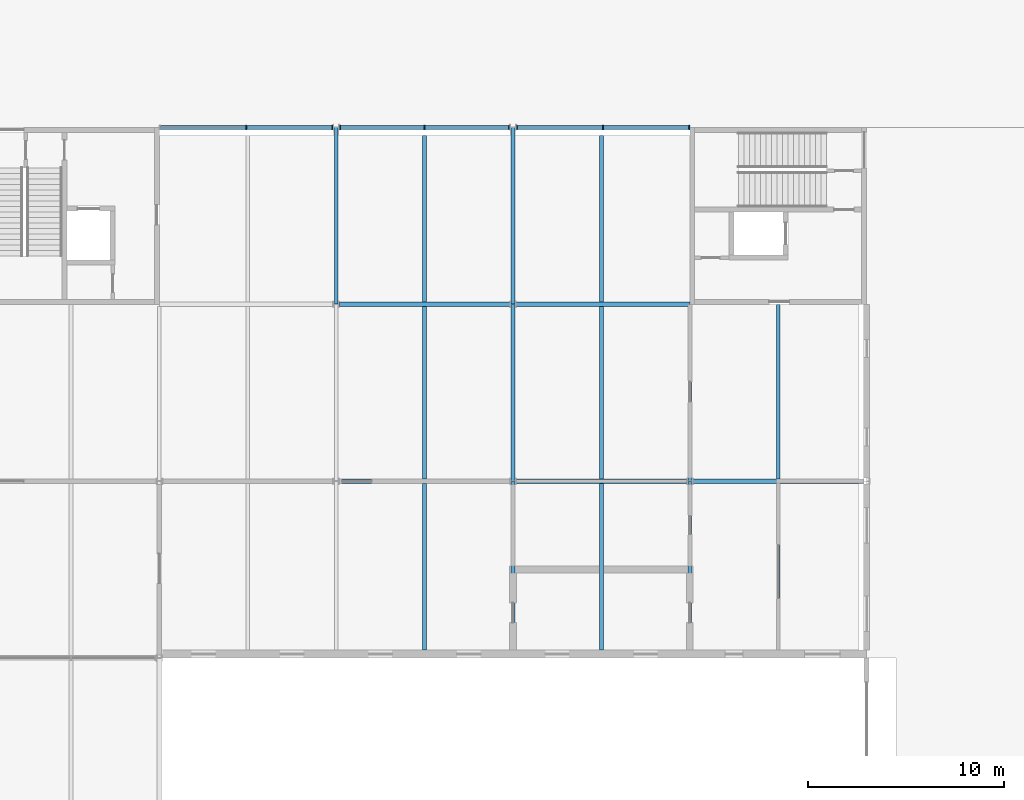
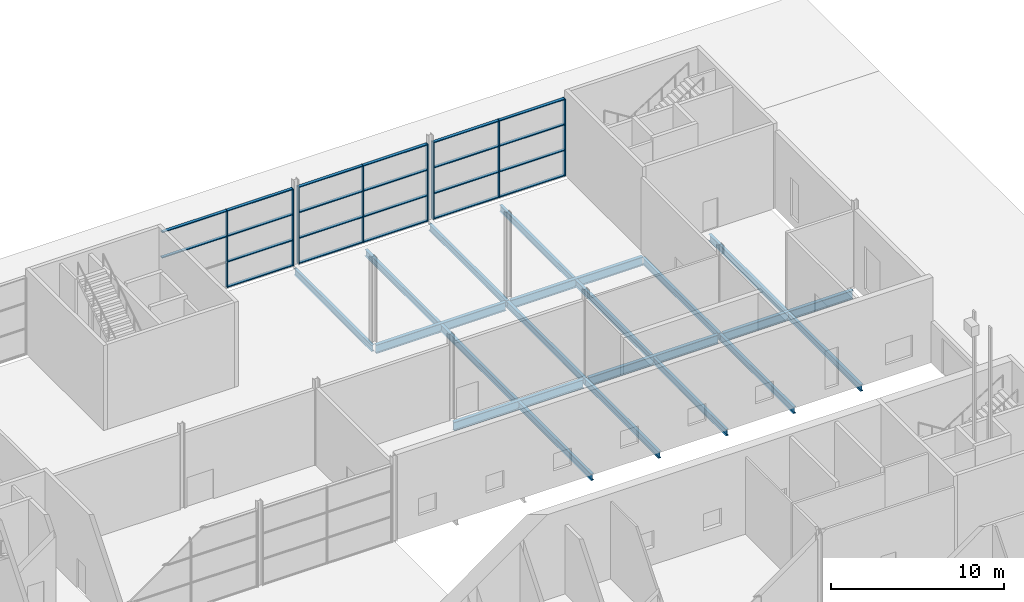
# One storey, part 52 of 97: 30 members, 19 beams, 3 elements without a shape of their own.
"""IFC4 building model written with IfcOpenShell, lengths in metres."""

import ifcopenshell
import ifcopenshell.guid

model = None  # the IFC model being written
_history = None  # IfcOwnerHistory: only IFC2X3 demands one
_inside = {}  # id of a spatial element -> (the spatial element, [elements in it])
_under = {}  # id of a project, library or spatial element -> (it, [spatial elements below it])
_declared = {}  # id of a project -> (the project, [libraries it declares])
_typed = {}  # id of a type object -> (the type object, [elements of that type])
_made_of = {}  # id of a material, layer set ... -> (it, [elements and type objects made of it])


def new_model(schema):
    """Start an empty IFC model of exactly this schema.

    Asked for "IFC4X3", IfcOpenShell would pick the latest addendum, in which some entities
    have other attributes; the version numbers below select the first issue.
    IFC2X3 requires an IfcOwnerHistory on every rooted entity: one is made here for all.
    """
    global model, _history
    if schema == "IFC4X3":
        model = ifcopenshell.file(schema_version=(4, 3, 0, 0))
    else:
        model = ifcopenshell.file(schema=schema)
    _inside.clear()
    _under.clear()
    _declared.clear()
    _typed.clear()
    _made_of.clear()
    _history = None
    if model.schema == "IFC2X3":
        org = make("IfcOrganization", Name="unknown")
        user = make(
            "IfcPersonAndOrganization",
            ThePerson=make("IfcPerson", FamilyName="unknown"),
            TheOrganization=org,
        )
        app = make(
            "IfcApplication",
            ApplicationDeveloper=org,
            Version="unknown",
            ApplicationFullName="unknown",
            ApplicationIdentifier="unknown",
        )
        _history = make(
            "IfcOwnerHistory",
            OwningUser=user,
            OwningApplication=app,
            ChangeAction="ADDED",
            CreationDate=0,
        )
    return model


def make(cls, **values):
    """One entity of the class cls with the attributes given. An attribute that is None is left unset."""
    return model.create_entity(
        cls, **{name: value for name, value in values.items() if value is not None}
    )


def rooted(cls, **values):
    """An entity with a GlobalId (a new one), such as an element, a storey or a relation."""
    return make(cls, GlobalId=ifcopenshell.guid.new(), OwnerHistory=_history, **values)


def si_unit(unit_type, name, prefix=None):
    """IfcSIUnit, for example si_unit("LENGTHUNIT", "METRE", prefix="MILLI")."""
    return make("IfcSIUnit", UnitType=unit_type, Prefix=prefix, Name=name)


def assignment(units):
    """IfcUnitAssignment: the units of a project."""
    return None if units is None else make("IfcUnitAssignment", Units=units)


def point(xyz):
    """IfcCartesianPoint."""
    return None if xyz is None else make("IfcCartesianPoint", Coordinates=xyz)


def direction(xyz):
    """IfcDirection."""
    return None if xyz is None else make("IfcDirection", DirectionRatios=xyz)


def frame(location, z_axis=None, x_axis=None):
    """IfcAxis2Placement3D, a coordinate frame: its origin and axes. An axis left out is left unset."""
    return make(
        "IfcAxis2Placement3D",
        Location=point(location),
        Axis=direction(z_axis),
        RefDirection=direction(x_axis),
    )


def frame_2d(location, x_axis=None):
    """IfcAxis2Placement2D, a coordinate frame in the plane: its origin and x axis."""
    return make(
        "IfcAxis2Placement2D", Location=point(location), RefDirection=direction(x_axis)
    )


def origin():
    """The frame at (0, 0, 0) with its axes left unset."""
    return frame((0.0, 0.0, 0.0))


def origin_2d():
    """The frame at (0, 0) in the plane with its x axis left unset."""
    return frame_2d((0.0, 0.0))


def place(relative_to, where):
    """IfcLocalPlacement: puts the frame where relative to a parent placement (None: the world)."""
    return make(
        "IfcLocalPlacement", PlacementRelTo=relative_to, RelativePlacement=where
    )


def context(
    kind, dimensions, precision=None, world=None, true_north=None, identifier=None
):
    """IfcGeometricRepresentationContext, for example the 3D "Model" context."""
    return make(
        "IfcGeometricRepresentationContext",
        ContextIdentifier=identifier,
        ContextType=kind,
        CoordinateSpaceDimension=dimensions,
        Precision=precision,
        WorldCoordinateSystem=world,
        TrueNorth=true_north,
    )


def subcontext(parent, identifier, kind, view, scale=None):
    """IfcGeometricRepresentationSubContext, for example "Body" below "Model"."""
    return make(
        "IfcGeometricRepresentationSubContext",
        ContextIdentifier=identifier,
        ContextType=kind,
        ParentContext=parent,
        TargetScale=scale,
        TargetView=view,
    )


def project(units=None, contexts=None):
    """IfcProject with its units and contexts."""
    return rooted(
        "IfcProject",
        Name="project",
        RepresentationContexts=contexts,
        UnitsInContext=assignment(units),
    )


def spatial(cls, under=None, at=None, **own):
    """A site, building, storey or space (cls), placed at a placement, below another one or the project."""
    s = rooted(cls, ObjectPlacement=at, **own)
    if under is not None:
        _under.setdefault(under.id(), (under, []))[1].append(s)
    return s


def profile(cls, at=None, kind="AREA", **sizes):
    """A parametric profile (cls). Its sizes go by their IFC names, for example OverallWidth=200.0."""
    return make(cls, ProfileType=kind, Position=at, **sizes)


def rectangle(**sizes):
    """IfcRectangleProfileDef."""
    return profile("IfcRectangleProfileDef", **sizes)


def i_section(**sizes):
    """IfcIShapeProfileDef."""
    return profile("IfcIShapeProfileDef", **sizes)


def extrude(swept, where, along, depth):
    """IfcExtrudedAreaSolid: the profile swept, set in the frame where, extruded along a direction by depth."""
    return make(
        "IfcExtrudedAreaSolid",
        SweptArea=swept,
        Position=where,
        ExtrudedDirection=direction(along),
        Depth=depth,
    )


def shape(context_of_items, identifier, shape_type, items):
    """IfcShapeRepresentation: the items that make up one representation, for example the "Body"."""
    return make(
        "IfcShapeRepresentation",
        ContextOfItems=context_of_items,
        RepresentationIdentifier=identifier,
        RepresentationType=shape_type,
        Items=items,
    )


def material(Name=None, Category=None):
    """IfcMaterial."""
    return make("IfcMaterial", Name=Name, Category=Category)


def layer(
    of_material, thickness, ventilated=None, Name=None, Category=None, Priority=None
):
    """IfcMaterialLayer: one layer of a wall or slab, of a material (None: an air gap)."""
    return make(
        "IfcMaterialLayer",
        Material=of_material,
        LayerThickness=thickness,
        IsVentilated=ventilated,
        Name=Name,
        Category=Category,
        Priority=Priority,
    )


def layer_set(layers, Name=None):
    """IfcMaterialLayerSet."""
    return make("IfcMaterialLayerSet", MaterialLayers=layers, LayerSetName=Name)


def material_profile(
    of_material, cross_section, Name=None, Category=None, Priority=None
):
    """IfcMaterialProfile: a cross section and its material."""
    return make(
        "IfcMaterialProfile",
        Name=Name,
        Material=of_material,
        Profile=cross_section,
        Priority=Priority,
        Category=Category,
    )


def profile_set(profiles, Name=None, composite=None):
    """IfcMaterialProfileSet."""
    return make(
        "IfcMaterialProfileSet",
        Name=Name,
        MaterialProfiles=profiles,
        CompositeProfile=composite,
    )


def made_of(thing, what):
    """Note that an element or type object is made of a material, layer set ...; save() writes the relation."""
    if what is not None:
        _made_of.setdefault(what.id(), (what, []))[1].append(thing)
    return thing


def type_object(cls, material=None, **own):
    """A type object (cls), such as IfcWallType, which elements share."""
    return made_of(rooted(cls, **own), material)


def element(
    cls,
    number,
    at=None,
    inside=None,
    cuts=None,
    type_object=None,
    material=None,
    context=None,
    identifier="Body",
    shape_type=None,
    held_by="IfcProductDefinitionShape",
    body=None,
    shapes=None,
    **own,
):
    """One element of the class cls, such as IfcWall. Its Tag is "e" and its number.

    at: its placement. inside: the storey or other place that contains it. cuts: it is an
    opening in that element (IfcRelVoidsElement). A single representation is given by context,
    identifier, shape_type and body (its items); several are given by shapes. held_by: the class
    of the entity that holds the representations. save() writes the other relations.
    """
    e = rooted(cls, Tag="e%d" % number, ObjectPlacement=at, **own)
    if body is not None:
        shapes = [shape(context, identifier, shape_type, body)]
    if shapes is not None:
        e.Representation = make(held_by, Representations=shapes)
    if inside is not None:
        _inside.setdefault(inside.id(), (inside, []))[1].append(e)
    if cuts is not None:
        rooted(
            "IfcRelVoidsElement", RelatingBuildingElement=cuts, RelatedOpeningElement=e
        )
    if type_object is not None:
        _typed.setdefault(type_object.id(), (type_object, []))[1].append(e)
    return made_of(e, material)


def aggregate(whole, parts):
    """IfcRelAggregates: a whole, such as a stair, and the parts it consists of."""
    return rooted("IfcRelAggregates", RelatingObject=whole, RelatedObjects=parts)


def save(model, path):
    """Write the relations noted so far, then the file.

    IfcRelAggregates (storeys below a building ...), IfcRelContainedInSpatialStructure (elements
    in a storey), IfcRelDefinesByType, IfcRelAssociatesMaterial and IfcRelDeclares: one each for
    every whole, place, type object, material and project.
    """
    for whole, parts in _under.values():
        aggregate(whole, parts)
    for where, things in _inside.values():
        rooted(
            "IfcRelContainedInSpatialStructure",
            RelatedElements=things,
            RelatingStructure=where,
        )
    for kind, things in _typed.values():
        rooted("IfcRelDefinesByType", RelatedObjects=things, RelatingType=kind)
    for what, things in _made_of.values():
        rooted("IfcRelAssociatesMaterial", RelatedObjects=things, RelatingMaterial=what)
    for by, libraries in _declared.values():
        rooted("IfcRelDeclares", RelatingContext=by, RelatedDefinitions=libraries)
    model.write(path)


model = new_model("IFC4")

# Units and contexts
model_context = context("Model", 3, precision=1e-05, world=origin(), true_north=direction((0.0, 1.0)))
body_context = subcontext(model_context, "Body", "Model", "MODEL_VIEW")
ifc_project = project(units=[si_unit("LENGTHUNIT", "METRE"), si_unit("AREAUNIT", "SQUARE_METRE"), si_unit("VOLUMEUNIT", "CUBIC_METRE"), si_unit("PLANEANGLEUNIT", "RADIAN"), si_unit("MASSUNIT", "GRAM", prefix="KILO")], contexts=[model_context])

# Site, building, storey
site_placement = place(None, origin())
site = spatial("IfcSite", under=ifc_project, at=site_placement, CompositionType="ELEMENT")
building_placement = place(site_placement, origin())
building = spatial("IfcBuilding", under=site, at=building_placement, Name="Corbel Yard City Hall", CompositionType="ELEMENT")
storey_placement = place(building_placement, origin())
storey = spatial("IfcBuildingStorey", under=building, at=storey_placement, Name="L00", CompositionType="ELEMENT", Elevation=0.0)

# Beams
ifc_material_1 = material(Name="Steel Grade 300 (300 MPa yield)", Category="steel")
ifc_material_profile_1 = material_profile(ifc_material_1, i_section(OverallWidth=0.19091796875, OverallDepth=0.4599609375, WebThickness=0.010009765625, FlangeThickness=0.01611328125, at=origin_2d()), Name="460UB82.1")
ifc_profile_set_1 = profile_set([ifc_material_profile_1], Name="Steel Grade 300 (300 MPa yield)")
beam_type_1 = type_object("IfcBeamType", Name="Beam 460UB82.1", PredefinedType="BEAM", material=ifc_profile_set_1)
beam_1_placement = place(storey_placement, frame((153.0, 108.0078125, -0.47998046875), z_axis=(0.0, 1.0, 0.0), x_axis=(-1.0, 0.0, 0.0)))
element("IfcBeam", 1, at=beam_1_placement, inside=storey, type_object=beam_type_1, Name="Beam 460UB82.1 SB2 L00deck", PredefinedType="BEAM", context=body_context, shape_type="SweptSolid", body=[
    extrude(i_section(OverallWidth=0.19091796875, OverallDepth=0.4599609375, WebThickness=0.010009765625, FlangeThickness=0.01611328125, at=origin_2d()), origin(), (0.0, 0.0, 1.0), 8.984375),
])
beam_2_placement = place(storey_placement, frame((162.0, 90.39990234375, -0.47998046875), z_axis=(0.0, 1.0, 0.0), x_axis=(-1.0, 0.0, 0.0)))
element("IfcBeam", 2, at=beam_2_placement, inside=storey, type_object=beam_type_1, Name="Beam 460UB82.1 SB2 L00deck", PredefinedType="BEAM", context=body_context, shape_type="SweptSolid", body=[
    extrude(i_section(OverallWidth=0.19091796875, OverallDepth=0.4599609375, WebThickness=0.010009765625, FlangeThickness=0.01611328125, at=origin_2d()), origin(), (0.0, 0.0, 1.0), 8.59228515625),
])
for number, where, z_axis, x_axis, name in (
    (3, (162.0, 99.0078125, -0.47998046875), (0.0, 1.0, 0.0), (-1.0, 0.0, 0.0), "Beam 460UB82.1 SB2 L00deck"),
    (4, (162.0, 108.0078125, -0.47998046875), (0.0, 1.0, 0.0), (-1.0, 0.0, 0.0), "Beam 460UB82.1 SB2 L00deck"),
):
    element("IfcBeam", number, at=place(storey_placement, frame(where, z_axis=z_axis, x_axis=x_axis)), inside=storey, type_object=beam_type_1, Name=name, PredefinedType="BEAM", context=body_context, shape_type="SweptSolid", body=[
        extrude(i_section(OverallWidth=0.19091796875, OverallDepth=0.4599609375, WebThickness=0.010009765625, FlangeThickness=0.01611328125, at=origin_2d()), origin(), (0.0, 0.0, 1.0), 8.984375),
    ])
beam_3_placement = place(storey_placement, frame((171.0, 90.39990234375, -0.47998046875), z_axis=(0.0, 1.0, 0.0), x_axis=(-1.0, 0.0, 0.0)))
element("IfcBeam", 5, at=beam_3_placement, inside=storey, type_object=beam_type_1, Name="Beam 460UB82.1 SB2 L00deck", PredefinedType="BEAM", context=body_context, shape_type="SweptSolid", body=[
    extrude(i_section(OverallWidth=0.19091796875, OverallDepth=0.4599609375, WebThickness=0.010009765625, FlangeThickness=0.01611328125, at=origin_2d()), origin(), (0.0, 0.0, 1.0), 8.59228515625),
])
beam_4_placement = place(storey_placement, frame((171.0, 99.0078125, -0.47998046875), z_axis=(0.0, 1.0, 0.0), x_axis=(-1.0, 0.0, 0.0)))
element("IfcBeam", 6, at=beam_4_placement, inside=storey, type_object=beam_type_1, Name="Beam 460UB82.1 SB2 L00deck", PredefinedType="BEAM", context=body_context, shape_type="SweptSolid", body=[
    extrude(i_section(OverallWidth=0.19091796875, OverallDepth=0.4599609375, WebThickness=0.010009765625, FlangeThickness=0.01611328125, at=origin_2d()), origin(), (0.0, 0.0, 1.0), 8.877685546875),
])
ifc_material_profile_2 = material_profile(ifc_material_1, i_section(OverallWidth=0.22900390625, OverallDepth=0.612060546875, WebThickness=0.011962890625, FlangeThickness=0.01953125, at=origin_2d()), Name="610UB125")
ifc_profile_set_2 = profile_set([ifc_material_profile_2], Name="Steel Grade 300 (300 MPa yield)")
beam_type_2 = type_object("IfcBeamType", Name="Girder 610UB125", PredefinedType="BEAM", material=ifc_profile_set_2)
for number, where, z_axis, x_axis, name in (
    (7, (153.16357421875, 99.0, -0.555908203125), (1.0, 0.0, 0.0), (0.0, 1.0, 0.0), "Girder 610UB125 GB1 L00deck"),
    (8, (162.16357421875, 99.0, -0.555908203125), (1.0, 0.0, 0.0), (0.0, 1.0, 0.0), "Girder 610UB125 GB1 L00deck"),
    (9, (171.16357421875, 99.0, -0.555908203125), (1.0, 0.0, 0.0), (0.0, 1.0, 0.0), "Girder 610UB125 GB1 L00deck"),
    (10, (153.16357421875, 108.0, -0.555908203125), (1.0, 0.0, 0.0), (0.0, 1.0, 0.0), "Girder 610UB125 GB1 L00deck"),
):
    element("IfcBeam", number, at=place(storey_placement, frame(where, z_axis=z_axis, x_axis=x_axis)), inside=storey, type_object=beam_type_2, Name=name, PredefinedType="BEAM", context=body_context, shape_type="SweptSolid", body=[
        extrude(i_section(OverallWidth=0.22900390625, OverallDepth=0.612060546875, WebThickness=0.011962890625, FlangeThickness=0.01953125, at=origin_2d()), origin(), (0.0, 0.0, 1.0), 8.6728515625),
    ])
beam_5_placement = place(storey_placement, frame((162.16357421875, 108.0, -0.555908203125), z_axis=(1.0, 0.0, 0.0), x_axis=(0.0, 1.0, 0.0)))
element("IfcBeam", 11, at=beam_5_placement, inside=storey, type_object=beam_type_2, Name="Girder 610UB125 GB1 L00deck", PredefinedType="BEAM", context=body_context, shape_type="SweptSolid", body=[
    extrude(i_section(OverallWidth=0.22900390625, OverallDepth=0.612060546875, WebThickness=0.011962890625, FlangeThickness=0.01953125, at=origin_2d()), origin(), (0.0, 0.0, 1.0), 8.83642578125),
])

# Curtain wall, members
ifc_material_2 = material(Name="Aluminium extrusion", Category="aluminium")
ifc_layer = layer(ifc_material_2, 0.25)
ifc_layer_set = layer_set([ifc_layer], Name="Aluminium extrusion")
curtain_wall_type = type_object("IfcCurtainWallType", Name="CW4", PredefinedType="USERDEFINED", material=ifc_layer_set)
curtain_wall_1_placement = place(storey_placement, origin())
curtain_wall_1 = element("IfcCurtainWall", 12, at=curtain_wall_1_placement, inside=storey, type_object=curtain_wall_type, Name="Curtain wall CW4 L00", ObjectType="CURTAIN WALL", PredefinedType="USERDEFINED")
ifc_material_profile_3 = material_profile(ifc_material_2, rectangle(XDim=0.25, YDim=0.06494140625, at=origin_2d()), Name="250x65")
ifc_profile_set_3 = profile_set([ifc_material_profile_3], Name="Aluminium extrusion")
member_type_1 = type_object("IfcMemberType", Name="ML4", PredefinedType="MULLION", material=ifc_profile_set_3)
member_1_placement = place(storey_placement, frame((148.421142578125, 117.0, 0.0), z_axis=(0.0, 0.0, 1.0), x_axis=(0.0, 1.0, 0.0)))
member_1 = element("IfcMember", 13, at=member_1_placement, type_object=member_type_1, Name="CW4 mullion 2", PredefinedType="MULLION", context=body_context, shape_type="SweptSolid", body=[
    extrude(rectangle(XDim=0.25, YDim=0.06494140625, at=origin_2d()), origin(), (0.0, 0.0, 1.0), 5.444091796875),
])
member_2_placement = place(storey_placement, frame((152.81005859375, 117.0, 0.0), z_axis=(0.0, 0.0, 1.0), x_axis=(0.0, 1.0, 0.0)))
member_2 = element("IfcMember", 14, at=member_2_placement, type_object=member_type_1, Name="CW4 mullion 3", PredefinedType="MULLION", context=body_context, shape_type="SweptSolid", body=[
    extrude(rectangle(XDim=0.25, YDim=0.06494140625, at=origin_2d()), origin(), (0.0, 0.0, 1.0), 5.444091796875),
])

curtain_wall_2_placement = place(storey_placement, origin())
curtain_wall_2 = element("IfcCurtainWall", 15, at=curtain_wall_2_placement, inside=storey, type_object=curtain_wall_type, Name="Curtain wall CW4 L00", ObjectType="CURTAIN WALL", PredefinedType="USERDEFINED")
member_3_placement = place(storey_placement, frame((153.18994140625, 117.0, 0.0), z_axis=(0.0, 0.0, 1.0), x_axis=(0.0, 1.0, 0.0)))
member_3 = element("IfcMember", 16, at=member_3_placement, type_object=member_type_1, Name="CW4 mullion 1", PredefinedType="MULLION", context=body_context, shape_type="SweptSolid", body=[
    extrude(rectangle(XDim=0.25, YDim=0.06494140625, at=origin_2d()), origin(), (0.0, 0.0, 1.0), 5.444091796875),
])
member_4_placement = place(storey_placement, frame((157.5, 117.0, 0.0), z_axis=(0.0, 0.0, 1.0), x_axis=(0.0, 1.0, 0.0)))
member_4 = element("IfcMember", 17, at=member_4_placement, type_object=member_type_1, Name="CW4 mullion 2", PredefinedType="MULLION", context=body_context, shape_type="SweptSolid", body=[
    extrude(rectangle(XDim=0.25, YDim=0.06494140625, at=origin_2d()), origin(), (0.0, 0.0, 1.0), 5.444091796875),
])
member_5_placement = place(storey_placement, frame((161.81005859375, 117.0, 0.0), z_axis=(0.0, 0.0, 1.0), x_axis=(0.0, 1.0, 0.0)))
member_5 = element("IfcMember", 18, at=member_5_placement, type_object=member_type_1, Name="CW4 mullion 3", PredefinedType="MULLION", context=body_context, shape_type="SweptSolid", body=[
    extrude(rectangle(XDim=0.25, YDim=0.06494140625, at=origin_2d()), origin(), (0.0, 0.0, 1.0), 5.444091796875),
])

curtain_wall_3_placement = place(storey_placement, origin())
curtain_wall_3 = element("IfcCurtainWall", 19, at=curtain_wall_3_placement, inside=storey, type_object=curtain_wall_type, Name="Curtain wall CW4 L00", ObjectType="CURTAIN WALL", PredefinedType="USERDEFINED")
member_6_placement = place(storey_placement, frame((162.18994140625, 117.0, 0.0), z_axis=(0.0, 0.0, 1.0), x_axis=(0.0, 1.0, 0.0)))
member_6 = element("IfcMember", 20, at=member_6_placement, type_object=member_type_1, Name="CW4 mullion 1", PredefinedType="MULLION", context=body_context, shape_type="SweptSolid", body=[
    extrude(rectangle(XDim=0.25, YDim=0.06494140625, at=origin_2d()), origin(), (0.0, 0.0, 1.0), 5.444091796875),
])
member_7_placement = place(storey_placement, frame((166.578857421875, 117.0, 0.0), z_axis=(0.0, 0.0, 1.0), x_axis=(0.0, 1.0, 0.0)))
member_7 = element("IfcMember", 21, at=member_7_placement, type_object=member_type_1, Name="CW4 mullion 2", PredefinedType="MULLION", context=body_context, shape_type="SweptSolid", body=[
    extrude(rectangle(XDim=0.25, YDim=0.06494140625, at=origin_2d()), origin(), (0.0, 0.0, 1.0), 5.444091796875),
])
member_8_placement = place(storey_placement, frame((170.967529296875, 117.0, 0.0), z_axis=(0.0, 0.0, 1.0), x_axis=(0.0, 1.0, 0.0)))
member_8 = element("IfcMember", 22, at=member_8_placement, type_object=member_type_1, Name="CW4 mullion 3", PredefinedType="MULLION", context=body_context, shape_type="SweptSolid", body=[
    extrude(rectangle(XDim=0.25, YDim=0.06494140625, at=origin_2d()), origin(), (0.0, 0.0, 1.0), 5.444091796875),
])

# Beams
ifc_material_profile_4 = material_profile(ifc_material_1, i_section(OverallWidth=0.19091796875, OverallDepth=0.4599609375, WebThickness=0.010009765625, FlangeThickness=0.01611328125, at=origin_2d()), Name="460UB82.1")
ifc_profile_set_4 = profile_set([ifc_material_profile_4], Name="Steel Grade 300 (300 MPa yield)")
beam_type_3 = type_object("IfcBeamType", Name="Secondary beam 460UB82.1", PredefinedType="JOIST", material=ifc_profile_set_4)
beam_6_placement = place(storey_placement, frame((157.5, 90.39990234375, -0.47998046875), z_axis=(0.0, 1.0, 0.0), x_axis=(-1.0, 0.0, 0.0)))
element("IfcBeam", 23, at=beam_6_placement, inside=storey, type_object=beam_type_3, Name="Secondary beam 460UB82.1 SB1 L00deck", PredefinedType="JOIST", context=body_context, shape_type="SweptSolid", body=[
    extrude(i_section(OverallWidth=0.19091796875, OverallDepth=0.4599609375, WebThickness=0.010009765625, FlangeThickness=0.01611328125, at=origin_2d()), origin(), (0.0, 0.0, 1.0), 8.485595703125),
])
beam_7_placement = place(storey_placement, frame((157.5, 99.114501953125, -0.47998046875), z_axis=(0.0, 1.0, 0.0), x_axis=(-1.0, 0.0, 0.0)))
element("IfcBeam", 24, at=beam_7_placement, inside=storey, type_object=beam_type_3, Name="Secondary beam 460UB82.1 SB1 L00deck", PredefinedType="JOIST", context=body_context, shape_type="SweptSolid", body=[
    extrude(i_section(OverallWidth=0.19091796875, OverallDepth=0.4599609375, WebThickness=0.010009765625, FlangeThickness=0.01611328125, at=origin_2d()), origin(), (0.0, 0.0, 1.0), 8.77099609375),
])
for number, where, z_axis, x_axis, name in (
    (25, (157.5, 108.114501953125, -0.47998046875), (0.0, 1.0, 0.0), (-1.0, 0.0, 0.0), "Secondary beam 460UB82.1 SB1 L00deck"),
    (26, (166.5, 90.39990234375, -0.47998046875), (0.0, 1.0, 0.0), (-1.0, 0.0, 0.0), "Secondary beam 460UB82.1 SB1 L00deck"),
):
    element("IfcBeam", number, at=place(storey_placement, frame(where, z_axis=z_axis, x_axis=x_axis)), inside=storey, type_object=beam_type_3, Name=name, PredefinedType="JOIST", context=body_context, shape_type="SweptSolid", body=[
        extrude(i_section(OverallWidth=0.19091796875, OverallDepth=0.4599609375, WebThickness=0.010009765625, FlangeThickness=0.01611328125, at=origin_2d()), origin(), (0.0, 0.0, 1.0), 8.485595703125),
    ])
beam_8_placement = place(storey_placement, frame((166.5, 99.114501953125, -0.47998046875), z_axis=(0.0, 1.0, 0.0), x_axis=(-1.0, 0.0, 0.0)))
element("IfcBeam", 27, at=beam_8_placement, inside=storey, type_object=beam_type_3, Name="Secondary beam 460UB82.1 SB1 L00deck", PredefinedType="JOIST", context=body_context, shape_type="SweptSolid", body=[
    extrude(i_section(OverallWidth=0.19091796875, OverallDepth=0.4599609375, WebThickness=0.010009765625, FlangeThickness=0.01611328125, at=origin_2d()), origin(), (0.0, 0.0, 1.0), 8.77099609375),
])
for number, where, z_axis, x_axis, name in (
    (28, (166.5, 108.114501953125, -0.47998046875), (0.0, 1.0, 0.0), (-1.0, 0.0, 0.0), "Secondary beam 460UB82.1 SB1 L00deck"),
    (29, (175.5, 90.39990234375, -0.47998046875), (0.0, 1.0, 0.0), (-1.0, 0.0, 0.0), "Secondary beam 460UB82.1 SB1 L00deck"),
):
    element("IfcBeam", number, at=place(storey_placement, frame(where, z_axis=z_axis, x_axis=x_axis)), inside=storey, type_object=beam_type_3, Name=name, PredefinedType="JOIST", context=body_context, shape_type="SweptSolid", body=[
        extrude(i_section(OverallWidth=0.19091796875, OverallDepth=0.4599609375, WebThickness=0.010009765625, FlangeThickness=0.01611328125, at=origin_2d()), origin(), (0.0, 0.0, 1.0), 8.485595703125),
    ])
beam_9_placement = place(storey_placement, frame((175.5, 99.114501953125, -0.47998046875), z_axis=(0.0, 1.0, 0.0), x_axis=(-1.0, 0.0, 0.0)))
element("IfcBeam", 30, at=beam_9_placement, inside=storey, type_object=beam_type_3, Name="Secondary beam 460UB82.1 SB1 L00deck", PredefinedType="JOIST", context=body_context, shape_type="SweptSolid", body=[
    extrude(i_section(OverallWidth=0.19091796875, OverallDepth=0.4599609375, WebThickness=0.010009765625, FlangeThickness=0.01611328125, at=origin_2d()), origin(), (0.0, 0.0, 1.0), 8.885498046875),
])

# Member
ifc_material_profile_5 = material_profile(ifc_material_2, rectangle(XDim=0.199951171875, YDim=0.06494140625, at=origin_2d()), Name="200x65")
ifc_profile_set_5 = profile_set([ifc_material_profile_5], Name="Aluminium extrusion")
member_type_2 = type_object("IfcMemberType", Name="TR4", PredefinedType="USERDEFINED", material=ifc_profile_set_5)
member_9_placement = place(storey_placement, frame((144.06494140625, 117.0, 3.62939453125), z_axis=(1.0, 0.0, 0.0), x_axis=(0.0, 1.0, 0.0)))
member_9 = element("IfcMember", 31, at=member_9_placement, type_object=member_type_2, Name="CW4 transom 1.3", ObjectType="TRANSOM", PredefinedType="USERDEFINED", context=body_context, shape_type="SweptSolid", body=[
    extrude(rectangle(XDim=0.199951171875, YDim=0.06494140625, at=origin_2d()), origin(), (0.0, 0.0, 1.0), 4.32373046875),
])

member_10_placement = place(storey_placement, frame((144.06494140625, 117.0, 5.41162109375), z_axis=(1.0, 0.0, 0.0), x_axis=(0.0, 1.0, 0.0)))
member_10 = element("IfcMember", 32, at=member_10_placement, type_object=member_type_2, Name="CW4 transom 1.4", ObjectType="TRANSOM", PredefinedType="USERDEFINED", context=body_context, shape_type="SweptSolid", body=[
    extrude(rectangle(XDim=0.199951171875, YDim=0.06494140625, at=origin_2d()), origin(), (0.0, 0.0, 1.0), 4.32373046875),
])

member_11_placement = place(storey_placement, frame((148.453857421875, 117.0, 0.032470703125), z_axis=(1.0, 0.0, 0.0), x_axis=(0.0, 1.0, 0.0)))
member_11 = element("IfcMember", 33, at=member_11_placement, type_object=member_type_2, Name="CW4 transom 2.1", ObjectType="TRANSOM", PredefinedType="USERDEFINED", context=body_context, shape_type="SweptSolid", body=[
    extrude(rectangle(XDim=0.199951171875, YDim=0.06494140625, at=origin_2d()), origin(), (0.0, 0.0, 1.0), 4.32373046875),
])

member_12_placement = place(storey_placement, frame((148.453857421875, 117.0, 1.814697265625), z_axis=(1.0, 0.0, 0.0), x_axis=(0.0, 1.0, 0.0)))
member_12 = element("IfcMember", 34, at=member_12_placement, type_object=member_type_2, Name="CW4 transom 2.2", ObjectType="TRANSOM", PredefinedType="USERDEFINED", context=body_context, shape_type="SweptSolid", body=[
    extrude(rectangle(XDim=0.199951171875, YDim=0.06494140625, at=origin_2d()), origin(), (0.0, 0.0, 1.0), 4.32373046875),
])

member_13_placement = place(storey_placement, frame((148.453857421875, 117.0, 3.62939453125), z_axis=(1.0, 0.0, 0.0), x_axis=(0.0, 1.0, 0.0)))
member_13 = element("IfcMember", 35, at=member_13_placement, type_object=member_type_2, Name="CW4 transom 2.3", ObjectType="TRANSOM", PredefinedType="USERDEFINED", context=body_context, shape_type="SweptSolid", body=[
    extrude(rectangle(XDim=0.199951171875, YDim=0.06494140625, at=origin_2d()), origin(), (0.0, 0.0, 1.0), 4.32373046875),
])

member_14_placement = place(storey_placement, frame((148.453857421875, 117.0, 5.41162109375), z_axis=(1.0, 0.0, 0.0), x_axis=(0.0, 1.0, 0.0)))
member_14 = element("IfcMember", 36, at=member_14_placement, type_object=member_type_2, Name="CW4 transom 2.4", ObjectType="TRANSOM", PredefinedType="USERDEFINED", context=body_context, shape_type="SweptSolid", body=[
    extrude(rectangle(XDim=0.199951171875, YDim=0.06494140625, at=origin_2d()), origin(), (0.0, 0.0, 1.0), 4.32373046875),
])

aggregate(curtain_wall_1, [member_1, member_2, member_9, member_10, member_11, member_12, member_13, member_14])

member_15_placement = place(storey_placement, frame((153.222412109375, 117.0, 0.032470703125), z_axis=(1.0, 0.0, 0.0), x_axis=(0.0, 1.0, 0.0)))
member_15 = element("IfcMember", 37, at=member_15_placement, type_object=member_type_2, Name="CW4 transom 1.1", ObjectType="TRANSOM", PredefinedType="USERDEFINED", context=body_context, shape_type="SweptSolid", body=[
    extrude(rectangle(XDim=0.199951171875, YDim=0.06494140625, at=origin_2d()), origin(), (0.0, 0.0, 1.0), 4.2451171875),
])

member_16_placement = place(storey_placement, frame((153.222412109375, 117.0, 1.814697265625), z_axis=(1.0, 0.0, 0.0), x_axis=(0.0, 1.0, 0.0)))
member_16 = element("IfcMember", 38, at=member_16_placement, type_object=member_type_2, Name="CW4 transom 1.2", ObjectType="TRANSOM", PredefinedType="USERDEFINED", context=body_context, shape_type="SweptSolid", body=[
    extrude(rectangle(XDim=0.199951171875, YDim=0.06494140625, at=origin_2d()), origin(), (0.0, 0.0, 1.0), 4.2451171875),
])

member_17_placement = place(storey_placement, frame((153.222412109375, 117.0, 3.62939453125), z_axis=(1.0, 0.0, 0.0), x_axis=(0.0, 1.0, 0.0)))
member_17 = element("IfcMember", 39, at=member_17_placement, type_object=member_type_2, Name="CW4 transom 1.3", ObjectType="TRANSOM", PredefinedType="USERDEFINED", context=body_context, shape_type="SweptSolid", body=[
    extrude(rectangle(XDim=0.199951171875, YDim=0.06494140625, at=origin_2d()), origin(), (0.0, 0.0, 1.0), 4.2451171875),
])

member_18_placement = place(storey_placement, frame((153.222412109375, 117.0, 5.41162109375), z_axis=(1.0, 0.0, 0.0), x_axis=(0.0, 1.0, 0.0)))
member_18 = element("IfcMember", 40, at=member_18_placement, type_object=member_type_2, Name="CW4 transom 1.4", ObjectType="TRANSOM", PredefinedType="USERDEFINED", context=body_context, shape_type="SweptSolid", body=[
    extrude(rectangle(XDim=0.199951171875, YDim=0.06494140625, at=origin_2d()), origin(), (0.0, 0.0, 1.0), 4.2451171875),
])

member_19_placement = place(storey_placement, frame((157.532470703125, 117.0, 0.032470703125), z_axis=(1.0, 0.0, 0.0), x_axis=(0.0, 1.0, 0.0)))
member_19 = element("IfcMember", 41, at=member_19_placement, type_object=member_type_2, Name="CW4 transom 2.1", ObjectType="TRANSOM", PredefinedType="USERDEFINED", context=body_context, shape_type="SweptSolid", body=[
    extrude(rectangle(XDim=0.199951171875, YDim=0.06494140625, at=origin_2d()), origin(), (0.0, 0.0, 1.0), 4.2451171875),
])

member_20_placement = place(storey_placement, frame((157.532470703125, 117.0, 1.814697265625), z_axis=(1.0, 0.0, 0.0), x_axis=(0.0, 1.0, 0.0)))
member_20 = element("IfcMember", 42, at=member_20_placement, type_object=member_type_2, Name="CW4 transom 2.2", ObjectType="TRANSOM", PredefinedType="USERDEFINED", context=body_context, shape_type="SweptSolid", body=[
    extrude(rectangle(XDim=0.199951171875, YDim=0.06494140625, at=origin_2d()), origin(), (0.0, 0.0, 1.0), 4.2451171875),
])

member_21_placement = place(storey_placement, frame((157.532470703125, 117.0, 3.62939453125), z_axis=(1.0, 0.0, 0.0), x_axis=(0.0, 1.0, 0.0)))
member_21 = element("IfcMember", 43, at=member_21_placement, type_object=member_type_2, Name="CW4 transom 2.3", ObjectType="TRANSOM", PredefinedType="USERDEFINED", context=body_context, shape_type="SweptSolid", body=[
    extrude(rectangle(XDim=0.199951171875, YDim=0.06494140625, at=origin_2d()), origin(), (0.0, 0.0, 1.0), 4.2451171875),
])

member_22_placement = place(storey_placement, frame((157.532470703125, 117.0, 5.41162109375), z_axis=(1.0, 0.0, 0.0), x_axis=(0.0, 1.0, 0.0)))
member_22 = element("IfcMember", 44, at=member_22_placement, type_object=member_type_2, Name="CW4 transom 2.4", ObjectType="TRANSOM", PredefinedType="USERDEFINED", context=body_context, shape_type="SweptSolid", body=[
    extrude(rectangle(XDim=0.199951171875, YDim=0.06494140625, at=origin_2d()), origin(), (0.0, 0.0, 1.0), 4.2451171875),
])

aggregate(curtain_wall_2, [member_3, member_4, member_5, member_15, member_16, member_17, member_18, member_19, member_20, member_21, member_22])

member_23_placement = place(storey_placement, frame((162.222412109375, 117.0, 0.032470703125), z_axis=(1.0, 0.0, 0.0), x_axis=(0.0, 1.0, 0.0)))
member_23 = element("IfcMember", 45, at=member_23_placement, type_object=member_type_2, Name="CW4 transom 1.1", ObjectType="TRANSOM", PredefinedType="USERDEFINED", context=body_context, shape_type="SweptSolid", body=[
    extrude(rectangle(XDim=0.199951171875, YDim=0.06494140625, at=origin_2d()), origin(), (0.0, 0.0, 1.0), 4.32373046875),
])

member_24_placement = place(storey_placement, frame((162.222412109375, 117.0, 1.814697265625), z_axis=(1.0, 0.0, 0.0), x_axis=(0.0, 1.0, 0.0)))
member_24 = element("IfcMember", 46, at=member_24_placement, type_object=member_type_2, Name="CW4 transom 1.2", ObjectType="TRANSOM", PredefinedType="USERDEFINED", context=body_context, shape_type="SweptSolid", body=[
    extrude(rectangle(XDim=0.199951171875, YDim=0.06494140625, at=origin_2d()), origin(), (0.0, 0.0, 1.0), 4.32373046875),
])

member_25_placement = place(storey_placement, frame((162.222412109375, 117.0, 3.62939453125), z_axis=(1.0, 0.0, 0.0), x_axis=(0.0, 1.0, 0.0)))
member_25 = element("IfcMember", 47, at=member_25_placement, type_object=member_type_2, Name="CW4 transom 1.3", ObjectType="TRANSOM", PredefinedType="USERDEFINED", context=body_context, shape_type="SweptSolid", body=[
    extrude(rectangle(XDim=0.199951171875, YDim=0.06494140625, at=origin_2d()), origin(), (0.0, 0.0, 1.0), 4.32373046875),
])

member_26_placement = place(storey_placement, frame((162.222412109375, 117.0, 5.41162109375), z_axis=(1.0, 0.0, 0.0), x_axis=(0.0, 1.0, 0.0)))
member_26 = element("IfcMember", 48, at=member_26_placement, type_object=member_type_2, Name="CW4 transom 1.4", ObjectType="TRANSOM", PredefinedType="USERDEFINED", context=body_context, shape_type="SweptSolid", body=[
    extrude(rectangle(XDim=0.199951171875, YDim=0.06494140625, at=origin_2d()), origin(), (0.0, 0.0, 1.0), 4.32373046875),
])

member_27_placement = place(storey_placement, frame((166.611328125, 117.0, 0.032470703125), z_axis=(1.0, 0.0, 0.0), x_axis=(0.0, 1.0, 0.0)))
member_27 = element("IfcMember", 49, at=member_27_placement, type_object=member_type_2, Name="CW4 transom 2.1", ObjectType="TRANSOM", PredefinedType="USERDEFINED", context=body_context, shape_type="SweptSolid", body=[
    extrude(rectangle(XDim=0.199951171875, YDim=0.06494140625, at=origin_2d()), origin(), (0.0, 0.0, 1.0), 4.32373046875),
])

member_28_placement = place(storey_placement, frame((166.611328125, 117.0, 1.814697265625), z_axis=(1.0, 0.0, 0.0), x_axis=(0.0, 1.0, 0.0)))
member_28 = element("IfcMember", 50, at=member_28_placement, type_object=member_type_2, Name="CW4 transom 2.2", ObjectType="TRANSOM", PredefinedType="USERDEFINED", context=body_context, shape_type="SweptSolid", body=[
    extrude(rectangle(XDim=0.199951171875, YDim=0.06494140625, at=origin_2d()), origin(), (0.0, 0.0, 1.0), 4.32373046875),
])

member_29_placement = place(storey_placement, frame((166.611328125, 117.0, 3.62939453125), z_axis=(1.0, 0.0, 0.0), x_axis=(0.0, 1.0, 0.0)))
member_29 = element("IfcMember", 51, at=member_29_placement, type_object=member_type_2, Name="CW4 transom 2.3", ObjectType="TRANSOM", PredefinedType="USERDEFINED", context=body_context, shape_type="SweptSolid", body=[
    extrude(rectangle(XDim=0.199951171875, YDim=0.06494140625, at=origin_2d()), origin(), (0.0, 0.0, 1.0), 4.32373046875),
])

member_30_placement = place(storey_placement, frame((166.611328125, 117.0, 5.41162109375), z_axis=(1.0, 0.0, 0.0), x_axis=(0.0, 1.0, 0.0)))
member_30 = element("IfcMember", 52, at=member_30_placement, type_object=member_type_2, Name="CW4 transom 2.4", ObjectType="TRANSOM", PredefinedType="USERDEFINED", context=body_context, shape_type="SweptSolid", body=[
    extrude(rectangle(XDim=0.199951171875, YDim=0.06494140625, at=origin_2d()), origin(), (0.0, 0.0, 1.0), 4.32373046875),
])

aggregate(curtain_wall_3, [member_6, member_7, member_8, member_23, member_24, member_25, member_26, member_27, member_28, member_29, member_30])

save(model, "model.ifc")
